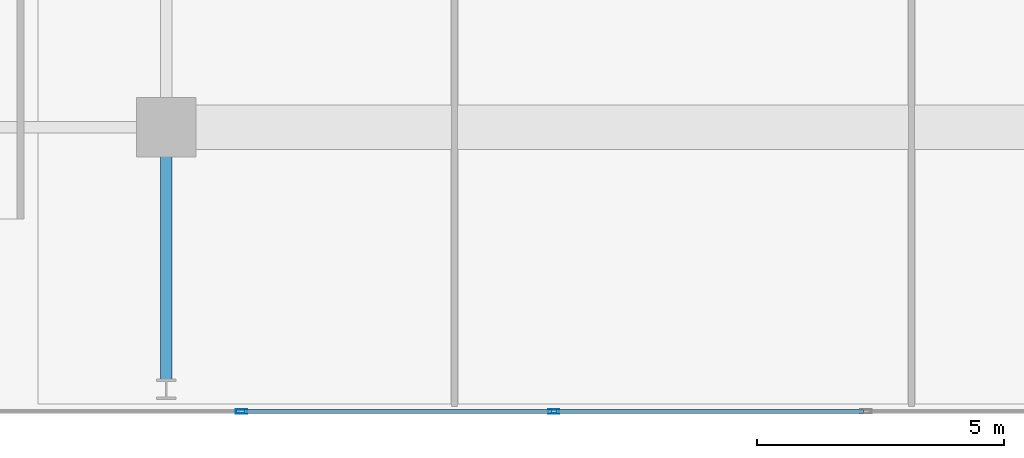
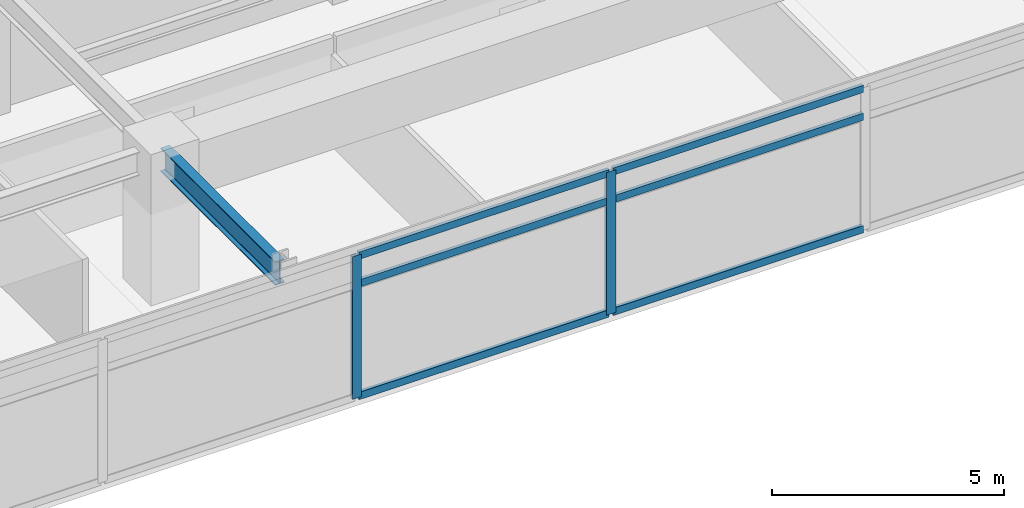
# One storey, part 4 of 24: 8 members, 1 beam, 1 element without a shape of its own.
"""IFC4 building model written with IfcOpenShell, lengths in metres."""

from ifc_helpers import new_model, si_unit, direction, frame, origin, origin_2d, place, context, subcontext, project, spatial, hollow_rectangle, i_section, extrude, material, material_profile, profile_set, type_object, element, aggregate, save


model = new_model("IFC4")

# Units and contexts
model_context = context("Model", 3, precision=1e-05, world=origin(), true_north=direction((0.0, 1.0)))
body_context = subcontext(model_context, "Body", "Model", "MODEL_VIEW")
ifc_project = project(units=[si_unit("LENGTHUNIT", "METRE"), si_unit("AREAUNIT", "SQUARE_METRE"), si_unit("VOLUMEUNIT", "CUBIC_METRE"), si_unit("PLANEANGLEUNIT", "RADIAN"), si_unit("MASSUNIT", "GRAM", prefix="KILO")], contexts=[model_context])

# Site, building, storey
site_placement = place(None, origin())
site = spatial("IfcSite", under=ifc_project, at=site_placement, CompositionType="ELEMENT")
building_placement = place(site_placement, origin())
building = spatial("IfcBuilding", under=site, at=building_placement, Name="Kovane Verandah Tower", CompositionType="ELEMENT")
storey_placement = place(building_placement, frame((0.0, 0.0, 271.199951171875)))
storey = spatial("IfcBuildingStorey", under=building, at=storey_placement, Name="L63", CompositionType="ELEMENT", Elevation=271.199951171875)

# Beam
ifc_material_1 = material(Name="Steel S355", Category="steel")
ifc_material_profile_1 = material_profile(ifc_material_1, i_section(OverallWidth=0.230224609375, OverallDepth=0.6171875, WebThickness=0.01318359375, FlangeThickness=0.022216796875, FilletRadius=0.0126953125, at=origin_2d()), Name="UB610x229x140")
ifc_profile_set_1 = profile_set([ifc_material_profile_1], Name="Steel S355")
beam_type = type_object("IfcBeamType", Name="BM-UB610x140", PredefinedType="BEAM", material=ifc_profile_set_1)
beam_placement = place(storey_placement, frame((29.0, 10.6201171875, 3.451416015625), z_axis=(0.0, -1.0, 0.0), x_axis=(1.0, 0.0, 0.0)))
element("IfcBeam", 1, at=beam_placement, inside=storey, type_object=beam_type, Name="L63 Primary Tower Girder G-VS1", PredefinedType="BEAM", context=body_context, shape_type="SweptSolid", body=[
    extrude(i_section(OverallWidth=0.230224609375, OverallDepth=0.6171875, WebThickness=0.01318359375, FlangeThickness=0.022216796875, FilletRadius=0.0126953125, at=origin_2d()), origin(), (0.0, 0.0, 1.0), 4.940185546875),
])

# Curtain wall, members
ifc_material_2 = material(Name="Champagne Anodised Aluminium Frame with Low-E Clear Laminated Glass", Category="aluminium")
curtain_wall_type = type_object("IfcCurtainWallType", Name="CW-SYS-05-HIGH", PredefinedType="NOTDEFINED", material=ifc_material_2)
curtain_wall_placement = place(storey_placement, origin())
curtain_wall = element("IfcCurtainWall", 2, at=curtain_wall_placement, inside=storey, type_object=curtain_wall_type, Name="L63 S Unitised Curtain Wall", PredefinedType="NOTDEFINED")
ifc_material_3 = material(Name="Champagne Anodised Aluminium 6063-T6", Category="aluminium")
ifc_material_profile_2 = material_profile(ifc_material_3, hollow_rectangle(XDim=0.0849609375, YDim=0.22998046875, WallThickness=0.00390625, at=origin_2d()), Name="AL85x230x4")
ifc_profile_set_2 = profile_set([ifc_material_profile_2], Name="Champagne Anodised Aluminium 6063-T6")
member_type_1 = type_object("IfcMemberType", Name="CW-MUL-85x230", PredefinedType="MULLION", material=ifc_profile_set_2)
member_1_placement = place(storey_placement, frame((30.525390625, 5.05029296875, 0.02001953125), z_axis=(0.0, 0.0, 1.0), x_axis=(0.0, -1.0, 0.0)))
member_1 = element("IfcMember", 3, at=member_1_placement, type_object=member_type_1, Name="L63 S Unitised Curtain Wall Mullion 3", PredefinedType="MULLION", context=body_context, shape_type="SweptSolid", body=[
    extrude(hollow_rectangle(XDim=0.0849609375, YDim=0.22998046875, WallThickness=0.00390625, at=origin_2d()), origin(), (0.0, 0.0, 1.0), 3.7451171875),
])
member_2_placement = place(storey_placement, frame((36.841796875, 5.05029296875, 0.02001953125), z_axis=(0.0, 0.0, 1.0), x_axis=(0.0, -1.0, 0.0)))
member_2 = element("IfcMember", 4, at=member_2_placement, type_object=member_type_1, Name="L63 S Unitised Curtain Wall Mullion 4", PredefinedType="MULLION", context=body_context, shape_type="SweptSolid", body=[
    extrude(hollow_rectangle(XDim=0.0849609375, YDim=0.22998046875, WallThickness=0.00390625, at=origin_2d()), origin(), (0.0, 0.0, 1.0), 3.7451171875),
])
ifc_material_profile_3 = material_profile(ifc_material_3, hollow_rectangle(XDim=0.0849609375, YDim=0.18994140625, WallThickness=0.00390625, at=origin_2d()), Name="AL85x190x4")
ifc_profile_set_3 = profile_set([ifc_material_profile_3], Name="Champagne Anodised Aluminium 6063-T6")
member_type_2 = type_object("IfcMemberType", Name="CW-TRN-85x190", PredefinedType="USERDEFINED", material=ifc_profile_set_3)
member_3_placement = place(storey_placement, frame((30.575439453125, 5.05029296875, 0.050048828125), z_axis=(1.0, 0.0, 0.0), x_axis=(0.0, 1.0, 0.0)))
member_3 = element("IfcMember", 5, at=member_3_placement, type_object=member_type_2, Name="L63 S Unitised Curtain Wall Transom TB Bay 3", ObjectType="TRANSOM", PredefinedType="USERDEFINED", context=body_context, shape_type="SweptSolid", body=[
    extrude(hollow_rectangle(XDim=0.0849609375, YDim=0.18994140625, WallThickness=0.00390625, at=origin_2d()), origin(), (0.0, 0.0, 1.0), 6.21630859375),
])
member_4_placement = place(storey_placement, frame((30.575439453125, 5.05029296875, 3.005126953125), z_axis=(1.0, 0.0, 0.0), x_axis=(0.0, 1.0, 0.0)))
member_4 = element("IfcMember", 6, at=member_4_placement, type_object=member_type_2, Name="L63 S Unitised Curtain Wall Transom TM Bay 3", ObjectType="TRANSOM", PredefinedType="USERDEFINED", context=body_context, shape_type="SweptSolid", body=[
    extrude(hollow_rectangle(XDim=0.0849609375, YDim=0.18994140625, WallThickness=0.00390625, at=origin_2d()), origin(), (0.0, 0.0, 1.0), 6.21630859375),
])
member_5_placement = place(storey_placement, frame((30.575439453125, 5.05029296875, 3.735107421875), z_axis=(1.0, 0.0, 0.0), x_axis=(0.0, 1.0, 0.0)))
member_5 = element("IfcMember", 7, at=member_5_placement, type_object=member_type_2, Name="L63 S Unitised Curtain Wall Transom TT Bay 3", ObjectType="TRANSOM", PredefinedType="USERDEFINED", context=body_context, shape_type="SweptSolid", body=[
    extrude(hollow_rectangle(XDim=0.0849609375, YDim=0.18994140625, WallThickness=0.00390625, at=origin_2d()), origin(), (0.0, 0.0, 1.0), 6.21630859375),
])
member_6_placement = place(storey_placement, frame((36.891845703125, 5.05029296875, 0.050048828125), z_axis=(1.0, 0.0, 0.0), x_axis=(0.0, 1.0, 0.0)))
member_6 = element("IfcMember", 8, at=member_6_placement, type_object=member_type_2, Name="L63 S Unitised Curtain Wall Transom TB Bay 4", ObjectType="TRANSOM", PredefinedType="USERDEFINED", context=body_context, shape_type="SweptSolid", body=[
    extrude(hollow_rectangle(XDim=0.0849609375, YDim=0.18994140625, WallThickness=0.00390625, at=origin_2d()), origin(), (0.0, 0.0, 1.0), 6.21630859375),
])
member_7_placement = place(storey_placement, frame((36.891845703125, 5.05029296875, 3.005126953125), z_axis=(1.0, 0.0, 0.0), x_axis=(0.0, 1.0, 0.0)))
member_7 = element("IfcMember", 9, at=member_7_placement, type_object=member_type_2, Name="L63 S Unitised Curtain Wall Transom TM Bay 4", ObjectType="TRANSOM", PredefinedType="USERDEFINED", context=body_context, shape_type="SweptSolid", body=[
    extrude(hollow_rectangle(XDim=0.0849609375, YDim=0.18994140625, WallThickness=0.00390625, at=origin_2d()), origin(), (0.0, 0.0, 1.0), 6.21630859375),
])
member_8_placement = place(storey_placement, frame((36.891845703125, 5.05029296875, 3.735107421875), z_axis=(1.0, 0.0, 0.0), x_axis=(0.0, 1.0, 0.0)))
member_8 = element("IfcMember", 10, at=member_8_placement, type_object=member_type_2, Name="L63 S Unitised Curtain Wall Transom TT Bay 4", ObjectType="TRANSOM", PredefinedType="USERDEFINED", context=body_context, shape_type="SweptSolid", body=[
    extrude(hollow_rectangle(XDim=0.0849609375, YDim=0.18994140625, WallThickness=0.00390625, at=origin_2d()), origin(), (0.0, 0.0, 1.0), 6.21630859375),
])
aggregate(curtain_wall, [member_1, member_2, member_3, member_4, member_5, member_6, member_7, member_8])

save(model, "model.ifc")
